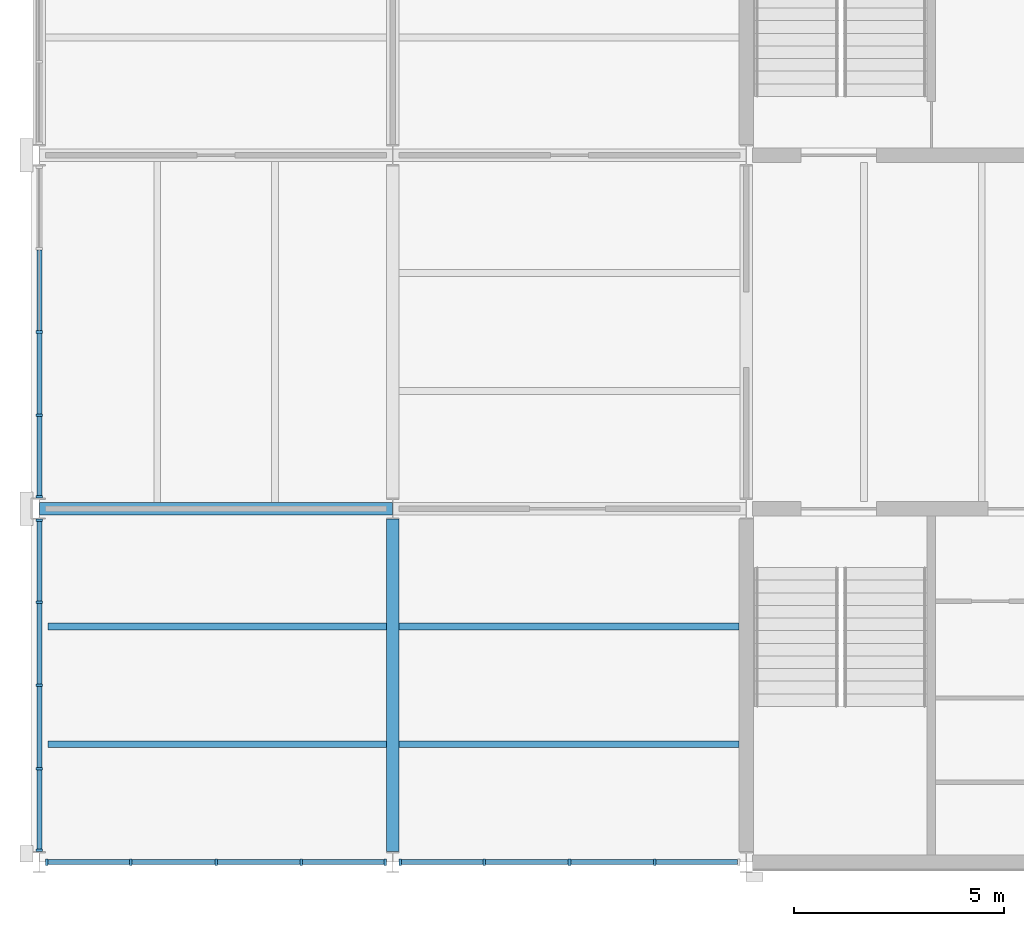
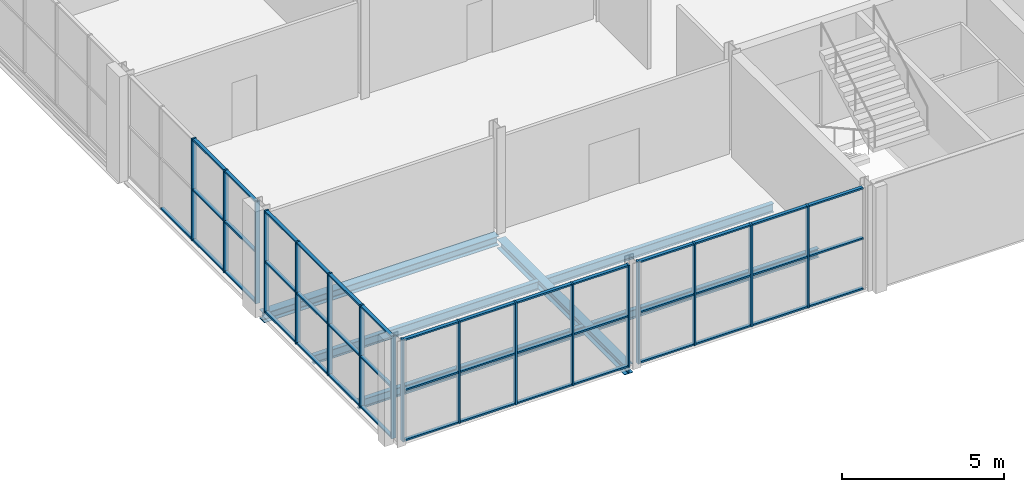
# One storey, part 2 of 12: 60 members, 6 beams, 4 elements without a shape of their own.
"""IFC4 building model written with IfcOpenShell, lengths in metres."""

from ifc_helpers import new_model, si_unit, direction, frame, origin, origin_2d, place, context, subcontext, project, spatial, rectangle, i_section, extrude, material, layer, layer_set, material_profile, profile_set, type_object, element, aggregate, save


model = new_model("IFC4")

# Units and contexts
model_context = context("Model", 3, precision=1e-05, world=origin(), true_north=direction((0.0, 1.0)))
body_context = subcontext(model_context, "Body", "Model", "MODEL_VIEW")
ifc_project = project(units=[si_unit("LENGTHUNIT", "METRE"), si_unit("AREAUNIT", "SQUARE_METRE"), si_unit("VOLUMEUNIT", "CUBIC_METRE"), si_unit("PLANEANGLEUNIT", "RADIAN"), si_unit("MASSUNIT", "GRAM", prefix="KILO")], contexts=[model_context])

# Site, building, storey
site_placement = place(None, origin())
site = spatial("IfcSite", under=ifc_project, at=site_placement, CompositionType="ELEMENT")
building_placement = place(site_placement, origin())
building = spatial("IfcBuilding", under=site, at=building_placement, Name="Galleria Vessillo Department Store", CompositionType="ELEMENT")
storey_placement = place(building_placement, frame((0.0, 0.0, 35.60009765625)))
storey = spatial("IfcBuildingStorey", under=building, at=storey_placement, Name="L07", CompositionType="ELEMENT", Elevation=35.60009765625)

# Curtain wall, members
ifc_material_1 = material(Name="Aluminium and glass curtain wall", Category="aluminium")
ifc_layer = layer(ifc_material_1, 0.159912109375)
ifc_layer_set = layer_set([ifc_layer], Name="Aluminium and glass curtain wall")
curtain_wall_type = type_object("IfcCurtainWallType", Name="Tower curtain wall CW4 2100 module", PredefinedType="NOTDEFINED", material=ifc_layer_set)
curtain_wall_1_placement = place(storey_placement, origin())
curtain_wall_1 = element("IfcCurtainWall", 1, at=curtain_wall_1_placement, inside=storey, type_object=curtain_wall_type, Name="Tower curtain wall CW4 2100 module TW-L07-01", PredefinedType="NOTDEFINED")
ifc_material_2 = material(Name="Aluminium alloy 6063 T6", Category="aluminium")
ifc_material_profile_1 = material_profile(ifc_material_2, rectangle(XDim=0.159912109375, YDim=0.06005859375, at=origin_2d()), Name="AL 60x160")
ifc_profile_set_1 = profile_set([ifc_material_profile_1], Name="Aluminium alloy 6063 T6")
member_type_1 = type_object("IfcMemberType", Name="Aluminium mullion 60 x 160", PredefinedType="MULLION", material=ifc_profile_set_1)
member_1_placement = place(storey_placement, frame((84.0, 38.080078125, 0.0), z_axis=(0.0, 0.0, 1.0), x_axis=(-1.0, 0.0, 0.0)))
member_1 = element("IfcMember", 2, at=member_1_placement, type_object=member_type_1, Name="CW4 mullion 1", PredefinedType="MULLION", context=body_context, shape_type="SweptSolid", body=[
    extrude(rectangle(XDim=0.159912109375, YDim=0.06005859375, at=origin_2d()), origin(), (0.0, 0.0, 1.0), 3.85009765625),
])
member_2_placement = place(storey_placement, frame((84.0, 40.02490234375, 0.0), z_axis=(0.0, 0.0, 1.0), x_axis=(-1.0, 0.0, 0.0)))
member_2 = element("IfcMember", 3, at=member_2_placement, type_object=member_type_1, Name="CW4 mullion 2", PredefinedType="MULLION", context=body_context, shape_type="SweptSolid", body=[
    extrude(rectangle(XDim=0.159912109375, YDim=0.06005859375, at=origin_2d()), origin(), (0.0, 0.0, 1.0), 3.85009765625),
])
member_3_placement = place(storey_placement, frame((84.0, 42.0, 0.0), z_axis=(0.0, 0.0, 1.0), x_axis=(-1.0, 0.0, 0.0)))
member_3 = element("IfcMember", 4, at=member_3_placement, type_object=member_type_1, Name="CW4 mullion 3", PredefinedType="MULLION", context=body_context, shape_type="SweptSolid", body=[
    extrude(rectangle(XDim=0.159912109375, YDim=0.06005859375, at=origin_2d()), origin(), (0.0, 0.0, 1.0), 3.85009765625),
])
member_4_placement = place(storey_placement, frame((84.0, 43.97509765625, 0.0), z_axis=(0.0, 0.0, 1.0), x_axis=(-1.0, 0.0, 0.0)))
member_4 = element("IfcMember", 5, at=member_4_placement, type_object=member_type_1, Name="CW4 mullion 4", PredefinedType="MULLION", context=body_context, shape_type="SweptSolid", body=[
    extrude(rectangle(XDim=0.159912109375, YDim=0.06005859375, at=origin_2d()), origin(), (0.0, 0.0, 1.0), 3.85009765625),
])
member_5_placement = place(storey_placement, frame((84.0, 45.919921875, 0.0), z_axis=(0.0, 0.0, 1.0), x_axis=(-1.0, 0.0, 0.0)))
member_5 = element("IfcMember", 6, at=member_5_placement, type_object=member_type_1, Name="CW4 mullion 5", PredefinedType="MULLION", context=body_context, shape_type="SweptSolid", body=[
    extrude(rectangle(XDim=0.159912109375, YDim=0.06005859375, at=origin_2d()), origin(), (0.0, 0.0, 1.0), 3.85009765625),
])

curtain_wall_2_placement = place(storey_placement, origin())
curtain_wall_2 = element("IfcCurtainWall", 7, at=curtain_wall_2_placement, inside=storey, type_object=curtain_wall_type, Name="Tower curtain wall CW4 2100 module TW-L07-02", PredefinedType="NOTDEFINED")
member_6_placement = place(storey_placement, frame((84.0, 46.47998046875, 0.0), z_axis=(0.0, 0.0, 1.0), x_axis=(-1.0, 0.0, 0.0)))
member_6 = element("IfcMember", 8, at=member_6_placement, type_object=member_type_1, Name="CW4 mullion 1", PredefinedType="MULLION", context=body_context, shape_type="SweptSolid", body=[
    extrude(rectangle(XDim=0.159912109375, YDim=0.06005859375, at=origin_2d()), origin(), (0.0, 0.0, 1.0), 3.85009765625),
])
member_7_placement = place(storey_placement, frame((84.0, 48.425048828125, 0.0), z_axis=(0.0, 0.0, 1.0), x_axis=(-1.0, 0.0, 0.0)))
member_7 = element("IfcMember", 9, at=member_7_placement, type_object=member_type_1, Name="CW4 mullion 2", PredefinedType="MULLION", context=body_context, shape_type="SweptSolid", body=[
    extrude(rectangle(XDim=0.159912109375, YDim=0.06005859375, at=origin_2d()), origin(), (0.0, 0.0, 1.0), 3.85009765625),
])
member_8_placement = place(storey_placement, frame((84.0, 50.39990234375, 0.0), z_axis=(0.0, 0.0, 1.0), x_axis=(-1.0, 0.0, 0.0)))
member_8 = element("IfcMember", 10, at=member_8_placement, type_object=member_type_1, Name="CW4 mullion 3", PredefinedType="MULLION", context=body_context, shape_type="SweptSolid", body=[
    extrude(rectangle(XDim=0.159912109375, YDim=0.06005859375, at=origin_2d()), origin(), (0.0, 0.0, 1.0), 3.85009765625),
])

curtain_wall_3_placement = place(storey_placement, origin())
curtain_wall_3 = element("IfcCurtainWall", 11, at=curtain_wall_3_placement, inside=storey, type_object=curtain_wall_type, Name="Tower curtain wall CW4 2100 module TS-L07-01", PredefinedType="NOTDEFINED")
member_9_placement = place(storey_placement, frame((84.179931640625, 37.800048828125, 0.0), z_axis=(0.0, 0.0, 1.0), x_axis=(0.0, 1.0, 0.0)))
member_9 = element("IfcMember", 12, at=member_9_placement, type_object=member_type_1, Name="CW4 mullion 1", PredefinedType="MULLION", context=body_context, shape_type="SweptSolid", body=[
    extrude(rectangle(XDim=0.159912109375, YDim=0.06005859375, at=origin_2d()), origin(), (0.0, 0.0, 1.0), 3.85009765625),
])
member_10_placement = place(storey_placement, frame((86.175048828125, 37.800048828125, 0.0), z_axis=(0.0, 0.0, 1.0), x_axis=(0.0, 1.0, 0.0)))
member_10 = element("IfcMember", 13, at=member_10_placement, type_object=member_type_1, Name="CW4 mullion 2", PredefinedType="MULLION", context=body_context, shape_type="SweptSolid", body=[
    extrude(rectangle(XDim=0.159912109375, YDim=0.06005859375, at=origin_2d()), origin(), (0.0, 0.0, 1.0), 3.85009765625),
])
member_11_placement = place(storey_placement, frame((88.199951171875, 37.800048828125, 0.0), z_axis=(0.0, 0.0, 1.0), x_axis=(0.0, 1.0, 0.0)))
member_11 = element("IfcMember", 14, at=member_11_placement, type_object=member_type_1, Name="CW4 mullion 3", PredefinedType="MULLION", context=body_context, shape_type="SweptSolid", body=[
    extrude(rectangle(XDim=0.159912109375, YDim=0.06005859375, at=origin_2d()), origin(), (0.0, 0.0, 1.0), 3.85009765625),
])
member_12_placement = place(storey_placement, frame((90.22509765625, 37.800048828125, 0.0), z_axis=(0.0, 0.0, 1.0), x_axis=(0.0, 1.0, 0.0)))
member_12 = element("IfcMember", 15, at=member_12_placement, type_object=member_type_1, Name="CW4 mullion 4", PredefinedType="MULLION", context=body_context, shape_type="SweptSolid", body=[
    extrude(rectangle(XDim=0.159912109375, YDim=0.06005859375, at=origin_2d()), origin(), (0.0, 0.0, 1.0), 3.85009765625),
])
member_13_placement = place(storey_placement, frame((92.219970703125, 37.800048828125, 0.0), z_axis=(0.0, 0.0, 1.0), x_axis=(0.0, 1.0, 0.0)))
member_13 = element("IfcMember", 16, at=member_13_placement, type_object=member_type_1, Name="CW4 mullion 5", PredefinedType="MULLION", context=body_context, shape_type="SweptSolid", body=[
    extrude(rectangle(XDim=0.159912109375, YDim=0.06005859375, at=origin_2d()), origin(), (0.0, 0.0, 1.0), 3.85009765625),
])

curtain_wall_4_placement = place(storey_placement, origin())
curtain_wall_4 = element("IfcCurtainWall", 17, at=curtain_wall_4_placement, inside=storey, type_object=curtain_wall_type, Name="Tower curtain wall CW4 2100 module TS-L07-02", PredefinedType="NOTDEFINED")
member_14_placement = place(storey_placement, frame((92.579833984375, 37.800048828125, 0.0), z_axis=(0.0, 0.0, 1.0), x_axis=(0.0, 1.0, 0.0)))
member_14 = element("IfcMember", 18, at=member_14_placement, type_object=member_type_1, Name="CW4 mullion 1", PredefinedType="MULLION", context=body_context, shape_type="SweptSolid", body=[
    extrude(rectangle(XDim=0.159912109375, YDim=0.06005859375, at=origin_2d()), origin(), (0.0, 0.0, 1.0), 3.85009765625),
])
member_15_placement = place(storey_placement, frame((94.574951171875, 37.800048828125, 0.0), z_axis=(0.0, 0.0, 1.0), x_axis=(0.0, 1.0, 0.0)))
member_15 = element("IfcMember", 19, at=member_15_placement, type_object=member_type_1, Name="CW4 mullion 2", PredefinedType="MULLION", context=body_context, shape_type="SweptSolid", body=[
    extrude(rectangle(XDim=0.159912109375, YDim=0.06005859375, at=origin_2d()), origin(), (0.0, 0.0, 1.0), 3.85009765625),
])
member_16_placement = place(storey_placement, frame((96.60009765625, 37.800048828125, 0.0), z_axis=(0.0, 0.0, 1.0), x_axis=(0.0, 1.0, 0.0)))
member_16 = element("IfcMember", 20, at=member_16_placement, type_object=member_type_1, Name="CW4 mullion 3", PredefinedType="MULLION", context=body_context, shape_type="SweptSolid", body=[
    extrude(rectangle(XDim=0.159912109375, YDim=0.06005859375, at=origin_2d()), origin(), (0.0, 0.0, 1.0), 3.85009765625),
])
member_17_placement = place(storey_placement, frame((98.625, 37.800048828125, 0.0), z_axis=(0.0, 0.0, 1.0), x_axis=(0.0, 1.0, 0.0)))
member_17 = element("IfcMember", 21, at=member_17_placement, type_object=member_type_1, Name="CW4 mullion 4", PredefinedType="MULLION", context=body_context, shape_type="SweptSolid", body=[
    extrude(rectangle(XDim=0.159912109375, YDim=0.06005859375, at=origin_2d()), origin(), (0.0, 0.0, 1.0), 3.85009765625),
])

# Member
ifc_material_3 = material(Name="Aluminium alloy 6063 T6", Category="aluminium")
ifc_material_profile_2 = material_profile(ifc_material_3, rectangle(XDim=0.1201171875, YDim=0.06005859375, at=origin_2d()), Name="AL 60x120")
ifc_profile_set_2 = profile_set([ifc_material_profile_2], Name="Aluminium alloy 6063 T6")
member_type_2 = type_object("IfcMemberType", Name="Aluminium transom 60 x 120", PredefinedType="USERDEFINED", material=ifc_profile_set_2)
member_18_placement = place(storey_placement, frame((84.0, 38.110107421875, 0.030029296875), z_axis=(0.0, 1.0, 0.0), x_axis=(-1.0, 0.0, 0.0)))
member_18 = element("IfcMember", 22, at=member_18_placement, type_object=member_type_2, Name="CW4 transom 1.1", ObjectType="TRANSOM", PredefinedType="USERDEFINED", context=body_context, shape_type="SweptSolid", body=[
    extrude(rectangle(XDim=0.1201171875, YDim=0.06005859375, at=origin_2d()), origin(), (0.0, 0.0, 1.0), 1.885009765625),
])

member_19_placement = place(storey_placement, frame((84.0, 38.110107421875, 1.925048828125), z_axis=(0.0, 1.0, 0.0), x_axis=(-1.0, 0.0, 0.0)))
member_19 = element("IfcMember", 23, at=member_19_placement, type_object=member_type_2, Name="CW4 transom 1.2", ObjectType="TRANSOM", PredefinedType="USERDEFINED", context=body_context, shape_type="SweptSolid", body=[
    extrude(rectangle(XDim=0.1201171875, YDim=0.06005859375, at=origin_2d()), origin(), (0.0, 0.0, 1.0), 1.885009765625),
])

member_20_placement = place(storey_placement, frame((84.0, 38.110107421875, 3.820068359375), z_axis=(0.0, 1.0, 0.0), x_axis=(-1.0, 0.0, 0.0)))
member_20 = element("IfcMember", 24, at=member_20_placement, type_object=member_type_2, Name="CW4 transom 1.3", ObjectType="TRANSOM", PredefinedType="USERDEFINED", context=body_context, shape_type="SweptSolid", body=[
    extrude(rectangle(XDim=0.1201171875, YDim=0.06005859375, at=origin_2d()), origin(), (0.0, 0.0, 1.0), 1.885009765625),
])

member_21_placement = place(storey_placement, frame((84.0, 40.054931640625, 0.030029296875), z_axis=(0.0, 1.0, 0.0), x_axis=(-1.0, 0.0, 0.0)))
member_21 = element("IfcMember", 25, at=member_21_placement, type_object=member_type_2, Name="CW4 transom 2.1", ObjectType="TRANSOM", PredefinedType="USERDEFINED", context=body_context, shape_type="SweptSolid", body=[
    extrude(rectangle(XDim=0.1201171875, YDim=0.06005859375, at=origin_2d()), origin(), (0.0, 0.0, 1.0), 1.9150390625),
])

member_22_placement = place(storey_placement, frame((84.0, 40.054931640625, 1.925048828125), z_axis=(0.0, 1.0, 0.0), x_axis=(-1.0, 0.0, 0.0)))
member_22 = element("IfcMember", 26, at=member_22_placement, type_object=member_type_2, Name="CW4 transom 2.2", ObjectType="TRANSOM", PredefinedType="USERDEFINED", context=body_context, shape_type="SweptSolid", body=[
    extrude(rectangle(XDim=0.1201171875, YDim=0.06005859375, at=origin_2d()), origin(), (0.0, 0.0, 1.0), 1.9150390625),
])

member_23_placement = place(storey_placement, frame((84.0, 40.054931640625, 3.820068359375), z_axis=(0.0, 1.0, 0.0), x_axis=(-1.0, 0.0, 0.0)))
member_23 = element("IfcMember", 27, at=member_23_placement, type_object=member_type_2, Name="CW4 transom 2.3", ObjectType="TRANSOM", PredefinedType="USERDEFINED", context=body_context, shape_type="SweptSolid", body=[
    extrude(rectangle(XDim=0.1201171875, YDim=0.06005859375, at=origin_2d()), origin(), (0.0, 0.0, 1.0), 1.9150390625),
])

member_24_placement = place(storey_placement, frame((84.0, 42.030029296875, 0.030029296875), z_axis=(0.0, 1.0, 0.0), x_axis=(-1.0, 0.0, 0.0)))
member_24 = element("IfcMember", 28, at=member_24_placement, type_object=member_type_2, Name="CW4 transom 3.1", ObjectType="TRANSOM", PredefinedType="USERDEFINED", context=body_context, shape_type="SweptSolid", body=[
    extrude(rectangle(XDim=0.1201171875, YDim=0.06005859375, at=origin_2d()), origin(), (0.0, 0.0, 1.0), 1.9150390625),
])

member_25_placement = place(storey_placement, frame((84.0, 42.030029296875, 1.925048828125), z_axis=(0.0, 1.0, 0.0), x_axis=(-1.0, 0.0, 0.0)))
member_25 = element("IfcMember", 29, at=member_25_placement, type_object=member_type_2, Name="CW4 transom 3.2", ObjectType="TRANSOM", PredefinedType="USERDEFINED", context=body_context, shape_type="SweptSolid", body=[
    extrude(rectangle(XDim=0.1201171875, YDim=0.06005859375, at=origin_2d()), origin(), (0.0, 0.0, 1.0), 1.9150390625),
])

member_26_placement = place(storey_placement, frame((84.0, 42.030029296875, 3.820068359375), z_axis=(0.0, 1.0, 0.0), x_axis=(-1.0, 0.0, 0.0)))
member_26 = element("IfcMember", 30, at=member_26_placement, type_object=member_type_2, Name="CW4 transom 3.3", ObjectType="TRANSOM", PredefinedType="USERDEFINED", context=body_context, shape_type="SweptSolid", body=[
    extrude(rectangle(XDim=0.1201171875, YDim=0.06005859375, at=origin_2d()), origin(), (0.0, 0.0, 1.0), 1.9150390625),
])

member_27_placement = place(storey_placement, frame((84.0, 44.0048828125, 0.030029296875), z_axis=(0.0, 1.0, 0.0), x_axis=(-1.0, 0.0, 0.0)))
member_27 = element("IfcMember", 31, at=member_27_placement, type_object=member_type_2, Name="CW4 transom 4.1", ObjectType="TRANSOM", PredefinedType="USERDEFINED", context=body_context, shape_type="SweptSolid", body=[
    extrude(rectangle(XDim=0.1201171875, YDim=0.06005859375, at=origin_2d()), origin(), (0.0, 0.0, 1.0), 1.885009765625),
])

member_28_placement = place(storey_placement, frame((84.0, 44.0048828125, 1.925048828125), z_axis=(0.0, 1.0, 0.0), x_axis=(-1.0, 0.0, 0.0)))
member_28 = element("IfcMember", 32, at=member_28_placement, type_object=member_type_2, Name="CW4 transom 4.2", ObjectType="TRANSOM", PredefinedType="USERDEFINED", context=body_context, shape_type="SweptSolid", body=[
    extrude(rectangle(XDim=0.1201171875, YDim=0.06005859375, at=origin_2d()), origin(), (0.0, 0.0, 1.0), 1.885009765625),
])

member_29_placement = place(storey_placement, frame((84.0, 44.0048828125, 3.820068359375), z_axis=(0.0, 1.0, 0.0), x_axis=(-1.0, 0.0, 0.0)))
member_29 = element("IfcMember", 33, at=member_29_placement, type_object=member_type_2, Name="CW4 transom 4.3", ObjectType="TRANSOM", PredefinedType="USERDEFINED", context=body_context, shape_type="SweptSolid", body=[
    extrude(rectangle(XDim=0.1201171875, YDim=0.06005859375, at=origin_2d()), origin(), (0.0, 0.0, 1.0), 1.885009765625),
])

aggregate(curtain_wall_1, [member_1, member_2, member_3, member_4, member_5, member_18, member_19, member_20, member_21, member_22, member_23, member_24, member_25, member_26, member_27, member_28, member_29])

member_30_placement = place(storey_placement, frame((84.0, 46.510009765625, 0.030029296875), z_axis=(0.0, 1.0, 0.0), x_axis=(-1.0, 0.0, 0.0)))
member_30 = element("IfcMember", 34, at=member_30_placement, type_object=member_type_2, Name="CW4 transom 1.1", ObjectType="TRANSOM", PredefinedType="USERDEFINED", context=body_context, shape_type="SweptSolid", body=[
    extrude(rectangle(XDim=0.1201171875, YDim=0.06005859375, at=origin_2d()), origin(), (0.0, 0.0, 1.0), 1.885009765625),
])

member_31_placement = place(storey_placement, frame((84.0, 46.510009765625, 1.925048828125), z_axis=(0.0, 1.0, 0.0), x_axis=(-1.0, 0.0, 0.0)))
member_31 = element("IfcMember", 35, at=member_31_placement, type_object=member_type_2, Name="CW4 transom 1.2", ObjectType="TRANSOM", PredefinedType="USERDEFINED", context=body_context, shape_type="SweptSolid", body=[
    extrude(rectangle(XDim=0.1201171875, YDim=0.06005859375, at=origin_2d()), origin(), (0.0, 0.0, 1.0), 1.885009765625),
])

member_32_placement = place(storey_placement, frame((84.0, 46.510009765625, 3.820068359375), z_axis=(0.0, 1.0, 0.0), x_axis=(-1.0, 0.0, 0.0)))
member_32 = element("IfcMember", 36, at=member_32_placement, type_object=member_type_2, Name="CW4 transom 1.3", ObjectType="TRANSOM", PredefinedType="USERDEFINED", context=body_context, shape_type="SweptSolid", body=[
    extrude(rectangle(XDim=0.1201171875, YDim=0.06005859375, at=origin_2d()), origin(), (0.0, 0.0, 1.0), 1.885009765625),
])

member_33_placement = place(storey_placement, frame((84.0, 48.455078125, 0.030029296875), z_axis=(0.0, 1.0, 0.0), x_axis=(-1.0, 0.0, 0.0)))
member_33 = element("IfcMember", 37, at=member_33_placement, type_object=member_type_2, Name="CW4 transom 2.1", ObjectType="TRANSOM", PredefinedType="USERDEFINED", context=body_context, shape_type="SweptSolid", body=[
    extrude(rectangle(XDim=0.1201171875, YDim=0.06005859375, at=origin_2d()), origin(), (0.0, 0.0, 1.0), 1.9150390625),
])

member_34_placement = place(storey_placement, frame((84.0, 48.455078125, 1.925048828125), z_axis=(0.0, 1.0, 0.0), x_axis=(-1.0, 0.0, 0.0)))
member_34 = element("IfcMember", 38, at=member_34_placement, type_object=member_type_2, Name="CW4 transom 2.2", ObjectType="TRANSOM", PredefinedType="USERDEFINED", context=body_context, shape_type="SweptSolid", body=[
    extrude(rectangle(XDim=0.1201171875, YDim=0.06005859375, at=origin_2d()), origin(), (0.0, 0.0, 1.0), 1.9150390625),
])

member_35_placement = place(storey_placement, frame((84.0, 48.455078125, 3.820068359375), z_axis=(0.0, 1.0, 0.0), x_axis=(-1.0, 0.0, 0.0)))
member_35 = element("IfcMember", 39, at=member_35_placement, type_object=member_type_2, Name="CW4 transom 2.3", ObjectType="TRANSOM", PredefinedType="USERDEFINED", context=body_context, shape_type="SweptSolid", body=[
    extrude(rectangle(XDim=0.1201171875, YDim=0.06005859375, at=origin_2d()), origin(), (0.0, 0.0, 1.0), 1.9150390625),
])

member_36_placement = place(storey_placement, frame((84.0, 50.429931640625, 0.030029296875), z_axis=(0.0, 1.0, 0.0), x_axis=(-1.0, 0.0, 0.0)))
member_36 = element("IfcMember", 40, at=member_36_placement, type_object=member_type_2, Name="CW4 transom 3.1", ObjectType="TRANSOM", PredefinedType="USERDEFINED", context=body_context, shape_type="SweptSolid", body=[
    extrude(rectangle(XDim=0.1201171875, YDim=0.06005859375, at=origin_2d()), origin(), (0.0, 0.0, 1.0), 1.9150390625),
])

aggregate(curtain_wall_2, [member_6, member_7, member_8, member_30, member_31, member_32, member_33, member_34, member_35, member_36])

member_37_placement = place(storey_placement, frame((84.2099609375, 37.800048828125, 0.030029296875), z_axis=(1.0, 0.0, 0.0), x_axis=(0.0, 1.0, 0.0)))
member_37 = element("IfcMember", 41, at=member_37_placement, type_object=member_type_2, Name="CW4 transom 1.1", ObjectType="TRANSOM", PredefinedType="USERDEFINED", context=body_context, shape_type="SweptSolid", body=[
    extrude(rectangle(XDim=0.1201171875, YDim=0.06005859375, at=origin_2d()), origin(), (0.0, 0.0, 1.0), 1.93505859375),
])

member_38_placement = place(storey_placement, frame((84.2099609375, 37.800048828125, 1.925048828125), z_axis=(1.0, 0.0, 0.0), x_axis=(0.0, 1.0, 0.0)))
member_38 = element("IfcMember", 42, at=member_38_placement, type_object=member_type_2, Name="CW4 transom 1.2", ObjectType="TRANSOM", PredefinedType="USERDEFINED", context=body_context, shape_type="SweptSolid", body=[
    extrude(rectangle(XDim=0.1201171875, YDim=0.06005859375, at=origin_2d()), origin(), (0.0, 0.0, 1.0), 1.93505859375),
])

member_39_placement = place(storey_placement, frame((84.2099609375, 37.800048828125, 3.820068359375), z_axis=(1.0, 0.0, 0.0), x_axis=(0.0, 1.0, 0.0)))
member_39 = element("IfcMember", 43, at=member_39_placement, type_object=member_type_2, Name="CW4 transom 1.3", ObjectType="TRANSOM", PredefinedType="USERDEFINED", context=body_context, shape_type="SweptSolid", body=[
    extrude(rectangle(XDim=0.1201171875, YDim=0.06005859375, at=origin_2d()), origin(), (0.0, 0.0, 1.0), 1.93505859375),
])

member_40_placement = place(storey_placement, frame((86.204833984375, 37.800048828125, 0.030029296875), z_axis=(1.0, 0.0, 0.0), x_axis=(0.0, 1.0, 0.0)))
member_40 = element("IfcMember", 44, at=member_40_placement, type_object=member_type_2, Name="CW4 transom 2.1", ObjectType="TRANSOM", PredefinedType="USERDEFINED", context=body_context, shape_type="SweptSolid", body=[
    extrude(rectangle(XDim=0.1201171875, YDim=0.06005859375, at=origin_2d()), origin(), (0.0, 0.0, 1.0), 1.965087890625),
])

member_41_placement = place(storey_placement, frame((86.204833984375, 37.800048828125, 1.925048828125), z_axis=(1.0, 0.0, 0.0), x_axis=(0.0, 1.0, 0.0)))
member_41 = element("IfcMember", 45, at=member_41_placement, type_object=member_type_2, Name="CW4 transom 2.2", ObjectType="TRANSOM", PredefinedType="USERDEFINED", context=body_context, shape_type="SweptSolid", body=[
    extrude(rectangle(XDim=0.1201171875, YDim=0.06005859375, at=origin_2d()), origin(), (0.0, 0.0, 1.0), 1.965087890625),
])

member_42_placement = place(storey_placement, frame((86.204833984375, 37.800048828125, 3.820068359375), z_axis=(1.0, 0.0, 0.0), x_axis=(0.0, 1.0, 0.0)))
member_42 = element("IfcMember", 46, at=member_42_placement, type_object=member_type_2, Name="CW4 transom 2.3", ObjectType="TRANSOM", PredefinedType="USERDEFINED", context=body_context, shape_type="SweptSolid", body=[
    extrude(rectangle(XDim=0.1201171875, YDim=0.06005859375, at=origin_2d()), origin(), (0.0, 0.0, 1.0), 1.965087890625),
])

member_43_placement = place(storey_placement, frame((88.22998046875, 37.800048828125, 0.030029296875), z_axis=(1.0, 0.0, 0.0), x_axis=(0.0, 1.0, 0.0)))
member_43 = element("IfcMember", 47, at=member_43_placement, type_object=member_type_2, Name="CW4 transom 3.1", ObjectType="TRANSOM", PredefinedType="USERDEFINED", context=body_context, shape_type="SweptSolid", body=[
    extrude(rectangle(XDim=0.1201171875, YDim=0.06005859375, at=origin_2d()), origin(), (0.0, 0.0, 1.0), 1.965087890625),
])

member_44_placement = place(storey_placement, frame((88.22998046875, 37.800048828125, 1.925048828125), z_axis=(1.0, 0.0, 0.0), x_axis=(0.0, 1.0, 0.0)))
member_44 = element("IfcMember", 48, at=member_44_placement, type_object=member_type_2, Name="CW4 transom 3.2", ObjectType="TRANSOM", PredefinedType="USERDEFINED", context=body_context, shape_type="SweptSolid", body=[
    extrude(rectangle(XDim=0.1201171875, YDim=0.06005859375, at=origin_2d()), origin(), (0.0, 0.0, 1.0), 1.965087890625),
])

member_45_placement = place(storey_placement, frame((88.22998046875, 37.800048828125, 3.820068359375), z_axis=(1.0, 0.0, 0.0), x_axis=(0.0, 1.0, 0.0)))
member_45 = element("IfcMember", 49, at=member_45_placement, type_object=member_type_2, Name="CW4 transom 3.3", ObjectType="TRANSOM", PredefinedType="USERDEFINED", context=body_context, shape_type="SweptSolid", body=[
    extrude(rectangle(XDim=0.1201171875, YDim=0.06005859375, at=origin_2d()), origin(), (0.0, 0.0, 1.0), 1.965087890625),
])

member_46_placement = place(storey_placement, frame((90.2548828125, 37.800048828125, 0.030029296875), z_axis=(1.0, 0.0, 0.0), x_axis=(0.0, 1.0, 0.0)))
member_46 = element("IfcMember", 50, at=member_46_placement, type_object=member_type_2, Name="CW4 transom 4.1", ObjectType="TRANSOM", PredefinedType="USERDEFINED", context=body_context, shape_type="SweptSolid", body=[
    extrude(rectangle(XDim=0.1201171875, YDim=0.06005859375, at=origin_2d()), origin(), (0.0, 0.0, 1.0), 1.93505859375),
])

member_47_placement = place(storey_placement, frame((90.2548828125, 37.800048828125, 1.925048828125), z_axis=(1.0, 0.0, 0.0), x_axis=(0.0, 1.0, 0.0)))
member_47 = element("IfcMember", 51, at=member_47_placement, type_object=member_type_2, Name="CW4 transom 4.2", ObjectType="TRANSOM", PredefinedType="USERDEFINED", context=body_context, shape_type="SweptSolid", body=[
    extrude(rectangle(XDim=0.1201171875, YDim=0.06005859375, at=origin_2d()), origin(), (0.0, 0.0, 1.0), 1.93505859375),
])

member_48_placement = place(storey_placement, frame((90.2548828125, 37.800048828125, 3.820068359375), z_axis=(1.0, 0.0, 0.0), x_axis=(0.0, 1.0, 0.0)))
member_48 = element("IfcMember", 52, at=member_48_placement, type_object=member_type_2, Name="CW4 transom 4.3", ObjectType="TRANSOM", PredefinedType="USERDEFINED", context=body_context, shape_type="SweptSolid", body=[
    extrude(rectangle(XDim=0.1201171875, YDim=0.06005859375, at=origin_2d()), origin(), (0.0, 0.0, 1.0), 1.93505859375),
])

aggregate(curtain_wall_3, [member_9, member_10, member_11, member_12, member_13, member_37, member_38, member_39, member_40, member_41, member_42, member_43, member_44, member_45, member_46, member_47, member_48])

member_49_placement = place(storey_placement, frame((92.60986328125, 37.800048828125, 0.030029296875), z_axis=(1.0, 0.0, 0.0), x_axis=(0.0, 1.0, 0.0)))
member_49 = element("IfcMember", 53, at=member_49_placement, type_object=member_type_2, Name="CW4 transom 1.1", ObjectType="TRANSOM", PredefinedType="USERDEFINED", context=body_context, shape_type="SweptSolid", body=[
    extrude(rectangle(XDim=0.1201171875, YDim=0.06005859375, at=origin_2d()), origin(), (0.0, 0.0, 1.0), 1.93505859375),
])

member_50_placement = place(storey_placement, frame((92.60986328125, 37.800048828125, 1.925048828125), z_axis=(1.0, 0.0, 0.0), x_axis=(0.0, 1.0, 0.0)))
member_50 = element("IfcMember", 54, at=member_50_placement, type_object=member_type_2, Name="CW4 transom 1.2", ObjectType="TRANSOM", PredefinedType="USERDEFINED", context=body_context, shape_type="SweptSolid", body=[
    extrude(rectangle(XDim=0.1201171875, YDim=0.06005859375, at=origin_2d()), origin(), (0.0, 0.0, 1.0), 1.93505859375),
])

member_51_placement = place(storey_placement, frame((92.60986328125, 37.800048828125, 3.820068359375), z_axis=(1.0, 0.0, 0.0), x_axis=(0.0, 1.0, 0.0)))
member_51 = element("IfcMember", 55, at=member_51_placement, type_object=member_type_2, Name="CW4 transom 1.3", ObjectType="TRANSOM", PredefinedType="USERDEFINED", context=body_context, shape_type="SweptSolid", body=[
    extrude(rectangle(XDim=0.1201171875, YDim=0.06005859375, at=origin_2d()), origin(), (0.0, 0.0, 1.0), 1.93505859375),
])

member_52_placement = place(storey_placement, frame((94.60498046875, 37.800048828125, 0.030029296875), z_axis=(1.0, 0.0, 0.0), x_axis=(0.0, 1.0, 0.0)))
member_52 = element("IfcMember", 56, at=member_52_placement, type_object=member_type_2, Name="CW4 transom 2.1", ObjectType="TRANSOM", PredefinedType="USERDEFINED", context=body_context, shape_type="SweptSolid", body=[
    extrude(rectangle(XDim=0.1201171875, YDim=0.06005859375, at=origin_2d()), origin(), (0.0, 0.0, 1.0), 1.965087890625),
])

member_53_placement = place(storey_placement, frame((94.60498046875, 37.800048828125, 1.925048828125), z_axis=(1.0, 0.0, 0.0), x_axis=(0.0, 1.0, 0.0)))
member_53 = element("IfcMember", 57, at=member_53_placement, type_object=member_type_2, Name="CW4 transom 2.2", ObjectType="TRANSOM", PredefinedType="USERDEFINED", context=body_context, shape_type="SweptSolid", body=[
    extrude(rectangle(XDim=0.1201171875, YDim=0.06005859375, at=origin_2d()), origin(), (0.0, 0.0, 1.0), 1.965087890625),
])

member_54_placement = place(storey_placement, frame((94.60498046875, 37.800048828125, 3.820068359375), z_axis=(1.0, 0.0, 0.0), x_axis=(0.0, 1.0, 0.0)))
member_54 = element("IfcMember", 58, at=member_54_placement, type_object=member_type_2, Name="CW4 transom 2.3", ObjectType="TRANSOM", PredefinedType="USERDEFINED", context=body_context, shape_type="SweptSolid", body=[
    extrude(rectangle(XDim=0.1201171875, YDim=0.06005859375, at=origin_2d()), origin(), (0.0, 0.0, 1.0), 1.965087890625),
])

member_55_placement = place(storey_placement, frame((96.6298828125, 37.800048828125, 0.030029296875), z_axis=(1.0, 0.0, 0.0), x_axis=(0.0, 1.0, 0.0)))
member_55 = element("IfcMember", 59, at=member_55_placement, type_object=member_type_2, Name="CW4 transom 3.1", ObjectType="TRANSOM", PredefinedType="USERDEFINED", context=body_context, shape_type="SweptSolid", body=[
    extrude(rectangle(XDim=0.1201171875, YDim=0.06005859375, at=origin_2d()), origin(), (0.0, 0.0, 1.0), 1.965087890625),
])

member_56_placement = place(storey_placement, frame((96.6298828125, 37.800048828125, 1.925048828125), z_axis=(1.0, 0.0, 0.0), x_axis=(0.0, 1.0, 0.0)))
member_56 = element("IfcMember", 60, at=member_56_placement, type_object=member_type_2, Name="CW4 transom 3.2", ObjectType="TRANSOM", PredefinedType="USERDEFINED", context=body_context, shape_type="SweptSolid", body=[
    extrude(rectangle(XDim=0.1201171875, YDim=0.06005859375, at=origin_2d()), origin(), (0.0, 0.0, 1.0), 1.965087890625),
])

member_57_placement = place(storey_placement, frame((96.6298828125, 37.800048828125, 3.820068359375), z_axis=(1.0, 0.0, 0.0), x_axis=(0.0, 1.0, 0.0)))
member_57 = element("IfcMember", 61, at=member_57_placement, type_object=member_type_2, Name="CW4 transom 3.3", ObjectType="TRANSOM", PredefinedType="USERDEFINED", context=body_context, shape_type="SweptSolid", body=[
    extrude(rectangle(XDim=0.1201171875, YDim=0.06005859375, at=origin_2d()), origin(), (0.0, 0.0, 1.0), 1.965087890625),
])

member_58_placement = place(storey_placement, frame((98.655029296875, 37.800048828125, 0.030029296875), z_axis=(1.0, 0.0, 0.0), x_axis=(0.0, 1.0, 0.0)))
member_58 = element("IfcMember", 62, at=member_58_placement, type_object=member_type_2, Name="CW4 transom 4.1", ObjectType="TRANSOM", PredefinedType="USERDEFINED", context=body_context, shape_type="SweptSolid", body=[
    extrude(rectangle(XDim=0.1201171875, YDim=0.06005859375, at=origin_2d()), origin(), (0.0, 0.0, 1.0), 1.93505859375),
])

member_59_placement = place(storey_placement, frame((98.655029296875, 37.800048828125, 1.925048828125), z_axis=(1.0, 0.0, 0.0), x_axis=(0.0, 1.0, 0.0)))
member_59 = element("IfcMember", 63, at=member_59_placement, type_object=member_type_2, Name="CW4 transom 4.2", ObjectType="TRANSOM", PredefinedType="USERDEFINED", context=body_context, shape_type="SweptSolid", body=[
    extrude(rectangle(XDim=0.1201171875, YDim=0.06005859375, at=origin_2d()), origin(), (0.0, 0.0, 1.0), 1.93505859375),
])

member_60_placement = place(storey_placement, frame((98.655029296875, 37.800048828125, 3.820068359375), z_axis=(1.0, 0.0, 0.0), x_axis=(0.0, 1.0, 0.0)))
member_60 = element("IfcMember", 64, at=member_60_placement, type_object=member_type_2, Name="CW4 transom 4.3", ObjectType="TRANSOM", PredefinedType="USERDEFINED", context=body_context, shape_type="SweptSolid", body=[
    extrude(rectangle(XDim=0.1201171875, YDim=0.06005859375, at=origin_2d()), origin(), (0.0, 0.0, 1.0), 1.93505859375),
])

aggregate(curtain_wall_4, [member_14, member_15, member_16, member_17, member_49, member_50, member_51, member_52, member_53, member_54, member_55, member_56, member_57, member_58, member_59, member_60])

# Beams
ifc_material_4 = material(Name="Steel S355 J2", Category="steel")
ifc_material_profile_3 = material_profile(ifc_material_4, i_section(OverallWidth=0.300048828125, OverallDepth=0.35009765625, WebThickness=0.010009765625, FlangeThickness=0.017578125, FilletRadius=0.027099609375, at=origin_2d()), Name="HEA 360")
ifc_profile_set_3 = profile_set([ifc_material_profile_3], Name="Steel S355 J2")
beam_type_1 = type_object("IfcBeamType", Name="Floor girder HEA 360", PredefinedType="BEAM", material=ifc_profile_set_3)
beam_1_placement = place(storey_placement, frame((84.00732421875, 46.199951171875, -0.324951171875), z_axis=(1.0, 0.0, 0.0), x_axis=(0.0, 1.0, 0.0)))
element("IfcBeam", 65, at=beam_1_placement, inside=storey, type_object=beam_type_1, Name="S-BM-L07-GI-x46200-84007", PredefinedType="BEAM", context=body_context, shape_type="SweptSolid", body=[
    extrude(i_section(OverallWidth=0.300048828125, OverallDepth=0.35009765625, WebThickness=0.010009765625, FlangeThickness=0.017578125, FilletRadius=0.027099609375, at=origin_2d()), origin(), (0.0, 0.0, 1.0), 8.38525390625),
])
beam_2_placement = place(storey_placement, frame((92.39990234375, 38.050048828125, -0.324951171875), z_axis=(0.0, 1.0, 0.0), x_axis=(-1.0, 0.0, 0.0)))
element("IfcBeam", 66, at=beam_2_placement, inside=storey, type_object=beam_type_1, Name="S-BM-L07-GI-y92400-38050", PredefinedType="BEAM", context=body_context, shape_type="SweptSolid", body=[
    extrude(i_section(OverallWidth=0.300048828125, OverallDepth=0.35009765625, WebThickness=0.010009765625, FlangeThickness=0.017578125, FilletRadius=0.027099609375, at=origin_2d()), origin(), (0.0, 0.0, 1.0), 7.89990234375),
])
ifc_material_5 = material(Name="Steel S355 J2", Category="steel")
ifc_material_profile_4 = material_profile(ifc_material_5, i_section(OverallWidth=0.159912109375, OverallDepth=0.330078125, WebThickness=0.007568359375, FlangeThickness=0.011474609375, FilletRadius=0.01806640625, at=origin_2d()), Name="IPE 330")
ifc_profile_set_4 = profile_set([ifc_material_profile_4], Name="Steel S355 J2")
beam_type_2 = type_object("IfcBeamType", Name="Floor joist IPE 330", PredefinedType="JOIST", material=ifc_profile_set_4)
for number, where, z_axis, x_axis, name in (
    (67, (84.2001953125, 40.60009765625, -0.31494140625), (1.0, 0.0, 0.0), (0.0, 1.0, 0.0), "S-BM-L07-JO-x40600-84200"),
    (68, (84.2001953125, 43.39990234375, -0.31494140625), (1.0, 0.0, 0.0), (0.0, 1.0, 0.0), "S-BM-L07-JO-x43400-84200"),
):
    element("IfcBeam", number, at=place(storey_placement, frame(where, z_axis=z_axis, x_axis=x_axis)), inside=storey, type_object=beam_type_2, Name=name, PredefinedType="JOIST", context=body_context, shape_type="SweptSolid", body=[
        extrude(i_section(OverallWidth=0.159912109375, OverallDepth=0.330078125, WebThickness=0.007568359375, FlangeThickness=0.011474609375, FilletRadius=0.01806640625, at=origin_2d()), origin(), (0.0, 0.0, 1.0), 8.049560546875),
    ])
for number, where, z_axis, x_axis, name in (
    (69, (92.550048828125, 40.60009765625, -0.31494140625), (1.0, 0.0, 0.0), (0.0, 1.0, 0.0), "S-BM-L07-JO-x40600-92550"),
    (70, (92.550048828125, 43.39990234375, -0.31494140625), (1.0, 0.0, 0.0), (0.0, 1.0, 0.0), "S-BM-L07-JO-x43400-92550"),
):
    element("IfcBeam", number, at=place(storey_placement, frame(where, z_axis=z_axis, x_axis=x_axis)), inside=storey, type_object=beam_type_2, Name=name, PredefinedType="JOIST", context=body_context, shape_type="SweptSolid", body=[
        extrude(i_section(OverallWidth=0.159912109375, OverallDepth=0.330078125, WebThickness=0.007568359375, FlangeThickness=0.011474609375, FilletRadius=0.01806640625, at=origin_2d()), origin(), (0.0, 0.0, 1.0), 8.07470703125),
    ])

save(model, "model.ifc")
